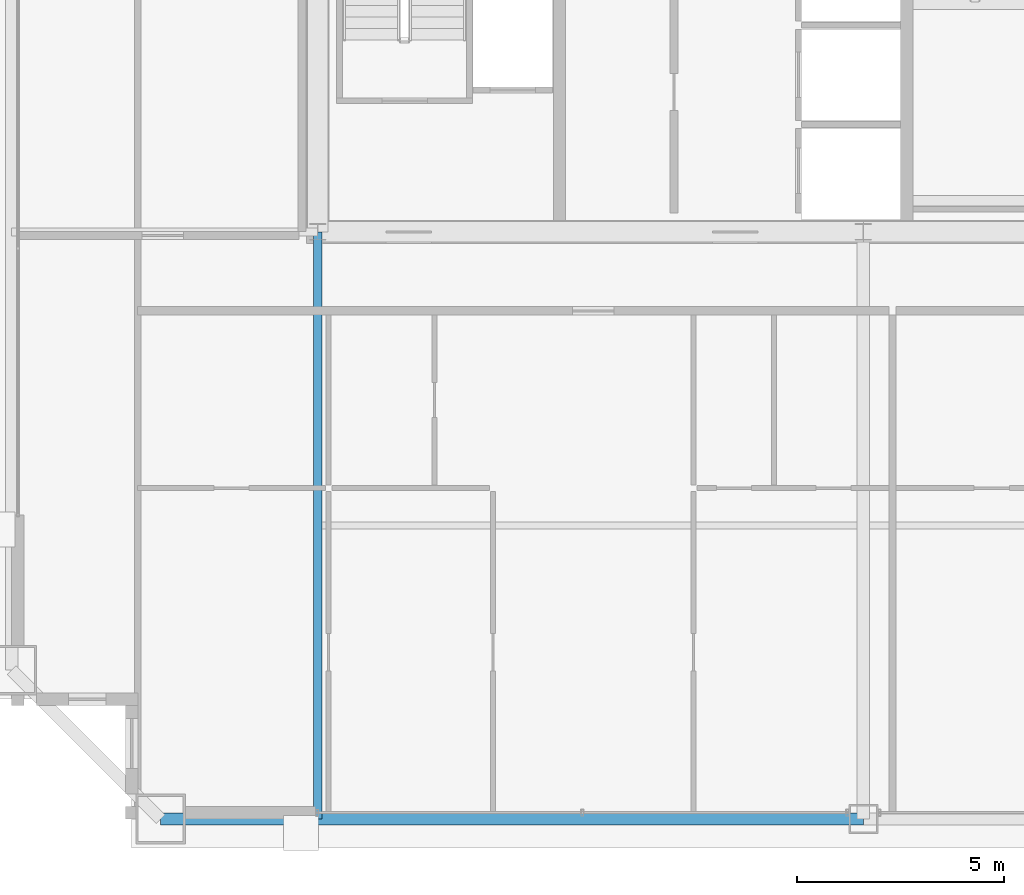
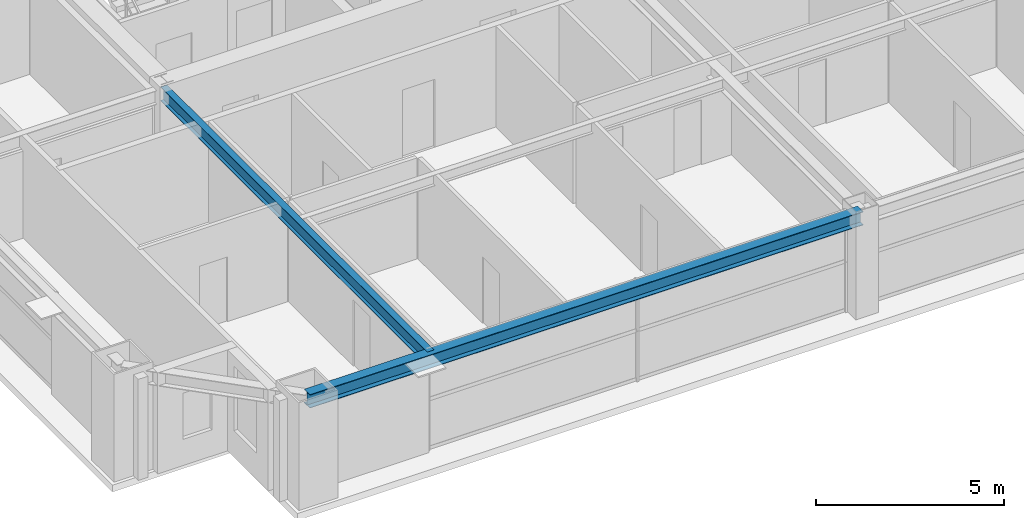
# One storey, part 4 of 36: 2 beams.
"""IFC4 building model written with IfcOpenShell, lengths in metres."""

from ifc_helpers import new_model, si_unit, direction, frame, origin, origin_2d, place, context, subcontext, project, spatial, i_section, extrude, source, transform, mapped, material, material_profile, profile_set, type_object, element, save


model = new_model("IFC4")

# Units and contexts
model_context = context("Model", 3, precision=1e-05, world=origin(), true_north=direction((0.0, 1.0)))
body_context = subcontext(model_context, "Body", "Model", "MODEL_VIEW")
ifc_project = project(units=[si_unit("LENGTHUNIT", "METRE"), si_unit("AREAUNIT", "SQUARE_METRE"), si_unit("VOLUMEUNIT", "CUBIC_METRE"), si_unit("PLANEANGLEUNIT", "RADIAN"), si_unit("MASSUNIT", "GRAM", prefix="KILO"), si_unit("THERMODYNAMICTEMPERATUREUNIT", "KELVIN"), si_unit("POWERUNIT", "WATT")], contexts=[model_context])

# Site, building, storey
site_placement = place(None, origin())
site = spatial("IfcSite", under=ifc_project, at=site_placement, CompositionType="ELEMENT")
building_placement = place(site_placement, origin())
building = spatial("IfcBuilding", under=site, at=building_placement, Name="Yuzanri Waterfront Tower", CompositionType="ELEMENT")
storey_placement = place(building_placement, frame((0.0, 0.0, 231.10009765625)))
storey = spatial("IfcBuildingStorey", under=building, at=storey_placement, Name="L61", CompositionType="ELEMENT", Elevation=231.10009765625)

# Beams
ifc_material_1 = material(Name="Steel Q355B", Category="steel")
ifc_material_profile_1 = material_profile(ifc_material_1, i_section(OverallWidth=0.300048828125, OverallDepth=0.43994140625, WebThickness=0.010986328125, FlangeThickness=0.01806640625, at=origin_2d()), Name="HM 440x300x11x18")
ifc_profile_set_1 = profile_set([ifc_material_profile_1], Name="Steel Q355B")
beam_type_1 = type_object("IfcBeamType", Name="Perimeter Spandrel Q355B HM 440x300", PredefinedType="SPANDREL", material=ifc_profile_set_1)
shared_shape_1 = source(origin(), body_context, "Body", "SweptSolid", [
    extrude(i_section(OverallWidth=0.300048828125, OverallDepth=0.43994140625, WebThickness=0.010986328125, FlangeThickness=0.01806640625, at=origin_2d()), origin(), (0.0, 0.0, 1.0), 17.0),
])
beam_1_placement = place(storey_placement, frame((20.0, 5.199951171875, 3.059814453125), z_axis=(1.0, 0.0, 0.0), x_axis=(0.0, 1.0, 0.0)))
element("IfcBeam", 1, at=beam_1_placement, inside=storey, type_object=beam_type_1, Name="L61 Perimeter Spandrel S1-S2", PredefinedType="SPANDREL", context=body_context, shape_type="MappedRepresentation", body=[
    mapped(shared_shape_1, transform((0.0, 0.0, 0.0), scale=1.0)),
])
ifc_material_2 = material(Name="Steel Q355B", Category="steel")
ifc_material_profile_2 = material_profile(ifc_material_2, i_section(OverallWidth=0.199951171875, OverallDepth=0.449951171875, WebThickness=0.009033203125, FlangeThickness=0.013916015625, at=origin_2d()), Name="HN 450x200x9x14")
ifc_profile_set_2 = profile_set([ifc_material_profile_2], Name="Steel Q355B")
beam_type_2 = type_object("IfcBeamType", Name="Secondary Floor Beam Q355B HN 450x200", PredefinedType="BEAM", material=ifc_profile_set_2)
shared_shape_2 = source(origin(), body_context, "Body", "SweptSolid", [
    extrude(i_section(OverallWidth=0.199951171875, OverallDepth=0.449951171875, WebThickness=0.009033203125, FlangeThickness=0.013916015625, at=origin_2d()), origin(), (0.0, 0.0, 1.0), 14.199951171875),
])
beam_2_placement = place(storey_placement, frame((23.800048828125, 19.39990234375, 3.054931640625), z_axis=(0.0, -1.0, 0.0), x_axis=(1.0, 0.0, 0.0)))
element("IfcBeam", 2, at=beam_2_placement, inside=storey, type_object=beam_type_2, Name="L61 South-West Core Line Beam", PredefinedType="BEAM", context=body_context, shape_type="MappedRepresentation", body=[
    mapped(shared_shape_2, transform((0.0, 0.0, 0.0), scale=1.0)),
])

save(model, "model.ifc")
